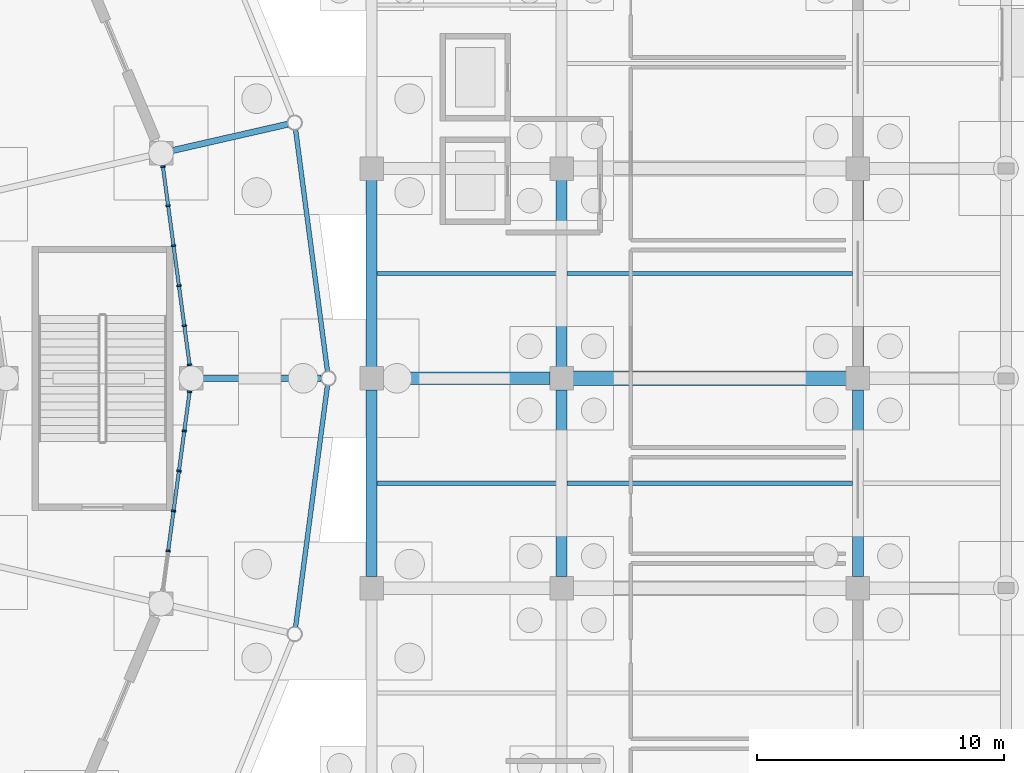
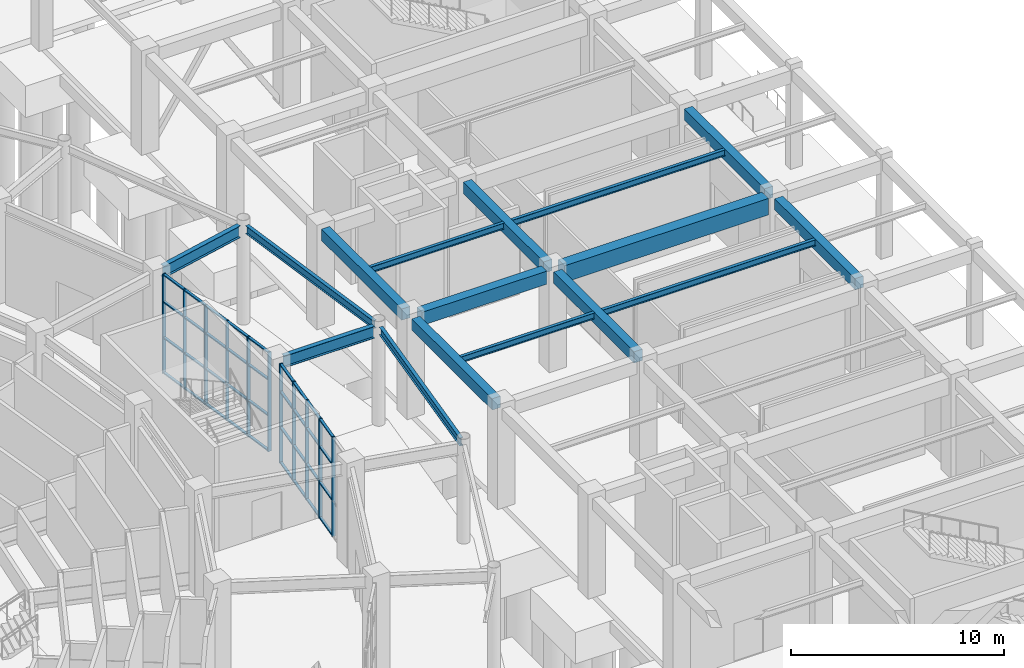
# One storey, part 58 of 121: 47 members, 16 beams, 2 elements without a shape of their own.
"""IFC4 building model written with IfcOpenShell, lengths in metres."""

from ifc_helpers import new_model, si_unit, direction, frame, origin, origin_2d, place, context, subcontext, project, spatial, rectangle, i_section, extrude, material, material_profile, profile_set, type_object, element, aggregate, save


model = new_model("IFC4")

# Units and contexts
model_context = context("Model", 3, precision=1e-05, world=origin(), true_north=direction((0.0, 1.0)))
body_context = subcontext(model_context, "Body", "Model", "MODEL_VIEW")
ifc_project = project(units=[si_unit("LENGTHUNIT", "METRE"), si_unit("AREAUNIT", "SQUARE_METRE"), si_unit("VOLUMEUNIT", "CUBIC_METRE"), si_unit("PLANEANGLEUNIT", "RADIAN"), si_unit("MASSUNIT", "GRAM", prefix="KILO")], contexts=[model_context])

# Site, building, storey
site_placement = place(None, origin())
site = spatial("IfcSite", under=ifc_project, at=site_placement, CompositionType="ELEMENT")
building_placement = place(site_placement, origin())
building = spatial("IfcBuilding", under=site, at=building_placement, Name="Cuetzalor Civic Arena", CompositionType="ELEMENT")
storey_placement = place(building_placement, origin())
storey = spatial("IfcBuildingStorey", under=building, at=storey_placement, Name="L00", CompositionType="ELEMENT", Elevation=0.0)

# Beams
ifc_material_1 = material(Name="Concrete C40/50", Category="concrete")
ifc_material_profile_1 = material_profile(ifc_material_1, rectangle(XDim=0.5, YDim=0.75, at=origin_2d()), Name="RC 500x750")
ifc_profile_set_1 = profile_set([ifc_material_profile_1], Name="Concrete C40/50")
beam_type_1 = type_object("IfcBeamType", Name="ConcreteFrameBeam_500x750", PredefinedType="BEAM", material=ifc_profile_set_1)
beam_1_placement = place(storey_placement, frame((56.764892578125, 0.0, 5.324951171875), z_axis=(1.0, 0.0, 0.0), x_axis=(0.0, 1.0, 0.0)))
element("IfcBeam", 1, at=beam_1_placement, inside=storey, type_object=beam_type_1, Name="Frame Girder V4E-L00-X0156", PredefinedType="BEAM", context=body_context, shape_type="SweptSolid", body=[
    extrude(rectangle(XDim=0.5, YDim=0.75, at=origin_2d()), origin(), (0.0, 0.0, 1.0), 6.77001953125),
])
ifc_material_2 = material(Name="Concrete C40/50", Category="concrete")
ifc_material_profile_2 = material_profile(ifc_material_2, rectangle(XDim=0.60009765625, YDim=0.949951171875, at=origin_2d()), Name="RC 600x950")
ifc_profile_set_2 = profile_set([ifc_material_profile_2], Name="Concrete C40/50")
beam_type_2 = type_object("IfcBeamType", Name="ConcreteFrameBeam_600x950", PredefinedType="BEAM", material=ifc_profile_set_2)
beam_2_placement = place(storey_placement, frame((64.465087890625, 0.0, 5.22509765625), z_axis=(1.0, 0.0, 0.0), x_axis=(0.0, 1.0, 0.0)))
element("IfcBeam", 2, at=beam_2_placement, inside=storey, type_object=beam_type_2, Name="Frame Girder V4E-L00-X0157", PredefinedType="BEAM", context=body_context, shape_type="SweptSolid", body=[
    extrude(rectangle(XDim=0.60009765625, YDim=0.949951171875, at=origin_2d()), origin(), (0.0, 0.0, 1.0), 11.06982421875),
])
ifc_material_3 = material(Name="Concrete C40/50", Category="concrete")
ifc_material_profile_3 = material_profile(ifc_material_3, rectangle(XDim=0.449951171875, YDim=0.64990234375, at=origin_2d()), Name="RC 450x650")
ifc_profile_set_3 = profile_set([ifc_material_profile_3], Name="Concrete C40/50")
beam_type_3 = type_object("IfcBeamType", Name="ConcreteTieBeam_450x650", PredefinedType="BEAM", material=ifc_profile_set_3)
for number, where, z_axis, x_axis, name in (
    (3, (56.300048828125, -8.034912109375, 5.375), (0.0, 1.0, 0.0), (-1.0, 0.0, 0.0), "Frame Girder V4E-L00-Y0178"),
    (4, (56.300048828125, 0.465087890625, 5.375), (0.0, 1.0, 0.0), (-1.0, 0.0, 0.0), "Frame Girder V4E-L00-Y0179"),
    (5, (64.0, -8.034912109375, 5.375), (0.0, 1.0, 0.0), (-1.0, 0.0, 0.0), "Frame Girder V4E-L00-Y0188"),
    (6, (64.0, 0.465087890625, 5.375), (0.0, 1.0, 0.0), (-1.0, 0.0, 0.0), "Frame Girder V4E-L00-Y0189"),
    (7, (76.0, -8.034912109375, 5.375), (0.0, 1.0, 0.0), (-1.0, 0.0, 0.0), "Frame Girder V4E-L00-Y0198"),
    (8, (76.0, 0.465087890625, 5.375), (0.0, 1.0, 0.0), (-1.0, 0.0, 0.0), "Frame Girder V4E-L00-Y0199"),
):
    element("IfcBeam", number, at=place(storey_placement, frame(where, z_axis=z_axis, x_axis=x_axis)), inside=storey, type_object=beam_type_3, Name=name, PredefinedType="BEAM", context=body_context, shape_type="SweptSolid", body=[
        extrude(rectangle(XDim=0.449951171875, YDim=0.64990234375, at=origin_2d()), origin(), (0.0, 0.0, 1.0), 7.56982421875),
    ])

# Curtain wall, members
ifc_material_4 = material(Name="Anodised dark bronze aluminium and low-E solar glass", Category="aluminium")
curtain_wall_type = type_object("IfcCurtainWallType", Name="UnitisedCW_8150x5700", PredefinedType="USERDEFINED", material=ifc_material_4)
curtain_wall_1_placement = place(storey_placement, origin())
curtain_wall_1 = element("IfcCurtainWall", 9, at=curtain_wall_1_placement, inside=storey, type_object=curtain_wall_type, Name="Drum Ground Recessed Concourse Curtain Wall L00-001", ObjectType="UNITISED CURTAIN WALL", PredefinedType="USERDEFINED")
ifc_material_5 = material(Name="Anodised dark bronze aluminium", Category="aluminium")
ifc_material_profile_4 = material_profile(ifc_material_5, rectangle(XDim=0.070068359375, YDim=0.179931640625, at=origin_2d()), Name="ALU MULLION 70x180")
ifc_profile_set_4 = profile_set([ifc_material_profile_4], Name="Anodised dark bronze aluminium")
member_type_1 = type_object("IfcMemberType", Name="CurtainWallMullion_65x180", PredefinedType="MULLION", material=ifc_profile_set_4)
member_1_placement = place(storey_placement, frame((47.844970703125, 8.5771484375, 0.0), z_axis=(0.0, 0.0, 1.0), x_axis=(0.133443440892, -0.991056430322, 0.0)))
member_1 = element("IfcMember", 10, at=member_1_placement, type_object=member_type_1, Name="CW-01 mullion 1", PredefinedType="MULLION", context=body_context, shape_type="SweptSolid", body=[
    extrude(rectangle(XDim=0.070068359375, YDim=0.179931640625, at=origin_2d()), origin(), (0.0, 0.0, 1.0), 5.699951171875),
])
member_2_placement = place(storey_placement, frame((48.05859375, 6.99169921875, 0.0), z_axis=(0.0, 0.0, 1.0), x_axis=(0.133443440892, -0.991056430322, 0.0)))
member_2 = element("IfcMember", 11, at=member_2_placement, type_object=member_type_1, Name="CW-01 mullion 2", PredefinedType="MULLION", context=body_context, shape_type="SweptSolid", body=[
    extrude(rectangle(XDim=0.070068359375, YDim=0.179931640625, at=origin_2d()), origin(), (0.0, 0.0, 1.0), 5.699951171875),
])
member_3_placement = place(storey_placement, frame((48.276611328125, 5.371826171875, 0.0), z_axis=(0.0, 0.0, 1.0), x_axis=(0.133443440892, -0.991056430322, 0.0)))
member_3 = element("IfcMember", 12, at=member_3_placement, type_object=member_type_1, Name="CW-01 mullion 3", PredefinedType="MULLION", context=body_context, shape_type="SweptSolid", body=[
    extrude(rectangle(XDim=0.070068359375, YDim=0.179931640625, at=origin_2d()), origin(), (0.0, 0.0, 1.0), 5.699951171875),
])
member_4_placement = place(storey_placement, frame((48.494873046875, 3.751708984375, 0.0), z_axis=(0.0, 0.0, 1.0), x_axis=(0.133443440892, -0.991056430322, 0.0)))
member_4 = element("IfcMember", 13, at=member_4_placement, type_object=member_type_1, Name="CW-01 mullion 4", PredefinedType="MULLION", context=body_context, shape_type="SweptSolid", body=[
    extrude(rectangle(XDim=0.070068359375, YDim=0.179931640625, at=origin_2d()), origin(), (0.0, 0.0, 1.0), 5.699951171875),
])
member_5_placement = place(storey_placement, frame((48.712890625, 2.131591796875, 0.0), z_axis=(0.0, 0.0, 1.0), x_axis=(0.133443440892, -0.991056430322, 0.0)))
member_5 = element("IfcMember", 14, at=member_5_placement, type_object=member_type_1, Name="CW-01 mullion 5", PredefinedType="MULLION", context=body_context, shape_type="SweptSolid", body=[
    extrude(rectangle(XDim=0.070068359375, YDim=0.179931640625, at=origin_2d()), origin(), (0.0, 0.0, 1.0), 5.699951171875),
])
member_6_placement = place(storey_placement, frame((48.926513671875, 0.546142578125, 0.0), z_axis=(0.0, 0.0, 1.0), x_axis=(0.133443440892, -0.991056430322, 0.0)))
member_6 = element("IfcMember", 15, at=member_6_placement, type_object=member_type_1, Name="CW-01 mullion 6", PredefinedType="MULLION", context=body_context, shape_type="SweptSolid", body=[
    extrude(rectangle(XDim=0.070068359375, YDim=0.179931640625, at=origin_2d()), origin(), (0.0, 0.0, 1.0), 5.699951171875),
])

curtain_wall_2_placement = place(storey_placement, origin())
curtain_wall_2 = element("IfcCurtainWall", 16, at=curtain_wall_2_placement, inside=storey, type_object=curtain_wall_type, Name="Drum Ground Recessed Concourse Curtain Wall L00-020", ObjectType="UNITISED CURTAIN WALL", PredefinedType="USERDEFINED")
member_7_placement = place(storey_placement, frame((48.926513671875, -0.546142578125, 0.0), z_axis=(0.0, 0.0, 1.0), x_axis=(-0.133443440892, -0.991056430322, 0.0)))
member_7 = element("IfcMember", 17, at=member_7_placement, type_object=member_type_1, Name="CW-01 mullion 1", PredefinedType="MULLION", context=body_context, shape_type="SweptSolid", body=[
    extrude(rectangle(XDim=0.070068359375, YDim=0.179931640625, at=origin_2d()), origin(), (0.0, 0.0, 1.0), 5.699951171875),
])
member_8_placement = place(storey_placement, frame((48.712890625, -2.131591796875, 0.0), z_axis=(0.0, 0.0, 1.0), x_axis=(-0.133443440892, -0.991056430322, 0.0)))
member_8 = element("IfcMember", 18, at=member_8_placement, type_object=member_type_1, Name="CW-01 mullion 2", PredefinedType="MULLION", context=body_context, shape_type="SweptSolid", body=[
    extrude(rectangle(XDim=0.070068359375, YDim=0.179931640625, at=origin_2d()), origin(), (0.0, 0.0, 1.0), 5.699951171875),
])
member_9_placement = place(storey_placement, frame((48.494873046875, -3.751708984375, 0.0), z_axis=(0.0, 0.0, 1.0), x_axis=(-0.133443440892, -0.991056430322, 0.0)))
member_9 = element("IfcMember", 19, at=member_9_placement, type_object=member_type_1, Name="CW-01 mullion 3", PredefinedType="MULLION", context=body_context, shape_type="SweptSolid", body=[
    extrude(rectangle(XDim=0.070068359375, YDim=0.179931640625, at=origin_2d()), origin(), (0.0, 0.0, 1.0), 5.699951171875),
])
member_10_placement = place(storey_placement, frame((48.276611328125, -5.371826171875, 0.0), z_axis=(0.0, 0.0, 1.0), x_axis=(-0.133443440892, -0.991056430322, 0.0)))
member_10 = element("IfcMember", 20, at=member_10_placement, type_object=member_type_1, Name="CW-01 mullion 4", PredefinedType="MULLION", context=body_context, shape_type="SweptSolid", body=[
    extrude(rectangle(XDim=0.070068359375, YDim=0.179931640625, at=origin_2d()), origin(), (0.0, 0.0, 1.0), 5.699951171875),
])
member_11_placement = place(storey_placement, frame((48.05859375, -6.99169921875, 0.0), z_axis=(0.0, 0.0, 1.0), x_axis=(-0.133443440892, -0.991056430322, 0.0)))
member_11 = element("IfcMember", 21, at=member_11_placement, type_object=member_type_1, Name="CW-01 mullion 5", PredefinedType="MULLION", context=body_context, shape_type="SweptSolid", body=[
    extrude(rectangle(XDim=0.070068359375, YDim=0.179931640625, at=origin_2d()), origin(), (0.0, 0.0, 1.0), 5.699951171875),
])

# Member
ifc_material_6 = material(Name="Anodised dark bronze aluminium", Category="aluminium")
ifc_material_profile_5 = material_profile(ifc_material_6, rectangle(XDim=0.139892578125, YDim=0.070068359375, at=origin_2d()), Name="ALU TRANSOM 70x140")
ifc_profile_set_5 = profile_set([ifc_material_profile_5], Name="Anodised dark bronze aluminium")
member_type_2 = type_object("IfcMemberType", Name="CurtainWallTransom_65x140", PredefinedType="USERDEFINED", material=ifc_profile_set_5)
member_12_placement = place(storey_placement, frame((47.849853515625, 8.54248046875, 0.034912109375), z_axis=(0.133439146266, -0.991057008574, 0.0), x_axis=(0.991057008574, 0.133439146266, 0.0)))
member_12 = element("IfcMember", 22, at=member_12_placement, type_object=member_type_2, Name="CW-01 transom 1.1", ObjectType="TRANSOM", PredefinedType="USERDEFINED", context=body_context, shape_type="SweptSolid", body=[
    extrude(rectangle(XDim=0.139892578125, YDim=0.070068359375, at=origin_2d()), origin(), (0.0, 0.0, 1.0), 1.529541015625),
])

member_13_placement = place(storey_placement, frame((47.849853515625, 8.54248046875, 2.052001953125), z_axis=(0.133439146266, -0.991057008574, 0.0), x_axis=(0.991057008574, 0.133439146266, 0.0)))
member_13 = element("IfcMember", 23, at=member_13_placement, type_object=member_type_2, Name="CW-01 transom 1.2", ObjectType="TRANSOM", PredefinedType="USERDEFINED", context=body_context, shape_type="SweptSolid", body=[
    extrude(rectangle(XDim=0.139892578125, YDim=0.070068359375, at=origin_2d()), origin(), (0.0, 0.0, 1.0), 1.529541015625),
])

member_14_placement = place(storey_placement, frame((47.849853515625, 8.54248046875, 4.10400390625), z_axis=(0.133439146266, -0.991057008574, 0.0), x_axis=(0.991057008574, 0.133439146266, 0.0)))
member_14 = element("IfcMember", 24, at=member_14_placement, type_object=member_type_2, Name="CW-01 transom 1.3", ObjectType="TRANSOM", PredefinedType="USERDEFINED", context=body_context, shape_type="SweptSolid", body=[
    extrude(rectangle(XDim=0.139892578125, YDim=0.070068359375, at=origin_2d()), origin(), (0.0, 0.0, 1.0), 1.529541015625),
])

member_15_placement = place(storey_placement, frame((47.849853515625, 8.54248046875, 5.6650390625), z_axis=(0.133439146266, -0.991057008574, 0.0), x_axis=(0.991057008574, 0.133439146266, 0.0)))
member_15 = element("IfcMember", 25, at=member_15_placement, type_object=member_type_2, Name="CW-01 transom 1.4", ObjectType="TRANSOM", PredefinedType="USERDEFINED", context=body_context, shape_type="SweptSolid", body=[
    extrude(rectangle(XDim=0.139892578125, YDim=0.070068359375, at=origin_2d()), origin(), (0.0, 0.0, 1.0), 1.529541015625),
])

member_16_placement = place(storey_placement, frame((48.063232421875, 6.95703125, 0.034912109375), z_axis=(0.133420854655, -0.991059471244, 0.0), x_axis=(0.991059471244, 0.133420854655, 0.0)))
member_16 = element("IfcMember", 26, at=member_16_placement, type_object=member_type_2, Name="CW-01 transom 2.1", ObjectType="TRANSOM", PredefinedType="USERDEFINED", context=body_context, shape_type="SweptSolid", body=[
    extrude(rectangle(XDim=0.139892578125, YDim=0.070068359375, at=origin_2d()), origin(), (0.0, 0.0, 1.0), 1.564453125),
])

member_17_placement = place(storey_placement, frame((48.063232421875, 6.95703125, 2.052001953125), z_axis=(0.133420854655, -0.991059471244, 0.0), x_axis=(0.991059471244, 0.133420854655, 0.0)))
member_17 = element("IfcMember", 27, at=member_17_placement, type_object=member_type_2, Name="CW-01 transom 2.2", ObjectType="TRANSOM", PredefinedType="USERDEFINED", context=body_context, shape_type="SweptSolid", body=[
    extrude(rectangle(XDim=0.139892578125, YDim=0.070068359375, at=origin_2d()), origin(), (0.0, 0.0, 1.0), 1.564453125),
])

member_18_placement = place(storey_placement, frame((48.063232421875, 6.95703125, 4.10400390625), z_axis=(0.133420854655, -0.991059471244, 0.0), x_axis=(0.991059471244, 0.133420854655, 0.0)))
member_18 = element("IfcMember", 28, at=member_18_placement, type_object=member_type_2, Name="CW-01 transom 2.3", ObjectType="TRANSOM", PredefinedType="USERDEFINED", context=body_context, shape_type="SweptSolid", body=[
    extrude(rectangle(XDim=0.139892578125, YDim=0.070068359375, at=origin_2d()), origin(), (0.0, 0.0, 1.0), 1.564453125),
])

member_19_placement = place(storey_placement, frame((48.063232421875, 6.95703125, 5.6650390625), z_axis=(0.133420854655, -0.991059471244, 0.0), x_axis=(0.991059471244, 0.133420854655, 0.0)))
member_19 = element("IfcMember", 29, at=member_19_placement, type_object=member_type_2, Name="CW-01 transom 2.4", ObjectType="TRANSOM", PredefinedType="USERDEFINED", context=body_context, shape_type="SweptSolid", body=[
    extrude(rectangle(XDim=0.139892578125, YDim=0.070068359375, at=origin_2d()), origin(), (0.0, 0.0, 1.0), 1.564453125),
])

member_20_placement = place(storey_placement, frame((48.28125, 5.337158203125, 0.034912109375), z_axis=(0.13355346626, -0.991041609444, 0.0), x_axis=(0.991041609444, 0.13355346626, 0.0)))
member_20 = element("IfcMember", 30, at=member_20_placement, type_object=member_type_2, Name="CW-01 transom 3.1", ObjectType="TRANSOM", PredefinedType="USERDEFINED", context=body_context, shape_type="SweptSolid", body=[
    extrude(rectangle(XDim=0.139892578125, YDim=0.070068359375, at=origin_2d()), origin(), (0.0, 0.0, 1.0), 1.564697265625),
])

member_21_placement = place(storey_placement, frame((48.28125, 5.337158203125, 2.052001953125), z_axis=(0.13355346626, -0.991041609444, 0.0), x_axis=(0.991041609444, 0.13355346626, 0.0)))
member_21 = element("IfcMember", 31, at=member_21_placement, type_object=member_type_2, Name="CW-01 transom 3.2", ObjectType="TRANSOM", PredefinedType="USERDEFINED", context=body_context, shape_type="SweptSolid", body=[
    extrude(rectangle(XDim=0.139892578125, YDim=0.070068359375, at=origin_2d()), origin(), (0.0, 0.0, 1.0), 1.564697265625),
])

member_22_placement = place(storey_placement, frame((48.28125, 5.337158203125, 4.10400390625), z_axis=(0.13355346626, -0.991041609444, 0.0), x_axis=(0.991041609444, 0.13355346626, 0.0)))
member_22 = element("IfcMember", 32, at=member_22_placement, type_object=member_type_2, Name="CW-01 transom 3.3", ObjectType="TRANSOM", PredefinedType="USERDEFINED", context=body_context, shape_type="SweptSolid", body=[
    extrude(rectangle(XDim=0.139892578125, YDim=0.070068359375, at=origin_2d()), origin(), (0.0, 0.0, 1.0), 1.564697265625),
])

member_23_placement = place(storey_placement, frame((48.28125, 5.337158203125, 5.6650390625), z_axis=(0.13355346626, -0.991041609444, 0.0), x_axis=(0.991041609444, 0.13355346626, 0.0)))
member_23 = element("IfcMember", 33, at=member_23_placement, type_object=member_type_2, Name="CW-01 transom 3.4", ObjectType="TRANSOM", PredefinedType="USERDEFINED", context=body_context, shape_type="SweptSolid", body=[
    extrude(rectangle(XDim=0.139892578125, YDim=0.070068359375, at=origin_2d()), origin(), (0.0, 0.0, 1.0), 1.564697265625),
])

member_24_placement = place(storey_placement, frame((48.49951171875, 3.717041015625, 0.034912109375), z_axis=(0.13340022393, -0.991062248426, 0.0), x_axis=(0.991062248426, 0.13340022393, 0.0)))
member_24 = element("IfcMember", 34, at=member_24_placement, type_object=member_type_2, Name="CW-01 transom 4.1", ObjectType="TRANSOM", PredefinedType="USERDEFINED", context=body_context, shape_type="SweptSolid", body=[
    extrude(rectangle(XDim=0.139892578125, YDim=0.070068359375, at=origin_2d()), origin(), (0.0, 0.0, 1.0), 1.564697265625),
])

member_25_placement = place(storey_placement, frame((48.49951171875, 3.717041015625, 2.052001953125), z_axis=(0.13340022393, -0.991062248426, 0.0), x_axis=(0.991062248426, 0.13340022393, 0.0)))
member_25 = element("IfcMember", 35, at=member_25_placement, type_object=member_type_2, Name="CW-01 transom 4.2", ObjectType="TRANSOM", PredefinedType="USERDEFINED", context=body_context, shape_type="SweptSolid", body=[
    extrude(rectangle(XDim=0.139892578125, YDim=0.070068359375, at=origin_2d()), origin(), (0.0, 0.0, 1.0), 1.564697265625),
])

member_26_placement = place(storey_placement, frame((48.49951171875, 3.717041015625, 4.10400390625), z_axis=(0.13340022393, -0.991062248426, 0.0), x_axis=(0.991062248426, 0.13340022393, 0.0)))
member_26 = element("IfcMember", 36, at=member_26_placement, type_object=member_type_2, Name="CW-01 transom 4.3", ObjectType="TRANSOM", PredefinedType="USERDEFINED", context=body_context, shape_type="SweptSolid", body=[
    extrude(rectangle(XDim=0.139892578125, YDim=0.070068359375, at=origin_2d()), origin(), (0.0, 0.0, 1.0), 1.564697265625),
])

member_27_placement = place(storey_placement, frame((48.49951171875, 3.717041015625, 5.6650390625), z_axis=(0.13340022393, -0.991062248426, 0.0), x_axis=(0.991062248426, 0.13340022393, 0.0)))
member_27 = element("IfcMember", 37, at=member_27_placement, type_object=member_type_2, Name="CW-01 transom 4.4", ObjectType="TRANSOM", PredefinedType="USERDEFINED", context=body_context, shape_type="SweptSolid", body=[
    extrude(rectangle(XDim=0.139892578125, YDim=0.070068359375, at=origin_2d()), origin(), (0.0, 0.0, 1.0), 1.564697265625),
])

member_28_placement = place(storey_placement, frame((48.717529296875, 2.096923828125, 0.034912109375), z_axis=(0.133574786173, -0.991038736124, 0.0), x_axis=(0.991038736124, 0.133574786173, 0.0)))
member_28 = element("IfcMember", 38, at=member_28_placement, type_object=member_type_2, Name="CW-01 transom 5.1", ObjectType="TRANSOM", PredefinedType="USERDEFINED", context=body_context, shape_type="SweptSolid", body=[
    extrude(rectangle(XDim=0.139892578125, YDim=0.070068359375, at=origin_2d()), origin(), (0.0, 0.0, 1.0), 1.52978515625),
])

member_29_placement = place(storey_placement, frame((48.717529296875, 2.096923828125, 2.052001953125), z_axis=(0.133574786173, -0.991038736124, 0.0), x_axis=(0.991038736124, 0.133574786173, 0.0)))
member_29 = element("IfcMember", 39, at=member_29_placement, type_object=member_type_2, Name="CW-01 transom 5.2", ObjectType="TRANSOM", PredefinedType="USERDEFINED", context=body_context, shape_type="SweptSolid", body=[
    extrude(rectangle(XDim=0.139892578125, YDim=0.070068359375, at=origin_2d()), origin(), (0.0, 0.0, 1.0), 1.52978515625),
])

member_30_placement = place(storey_placement, frame((48.717529296875, 2.096923828125, 4.10400390625), z_axis=(0.133574786173, -0.991038736124, 0.0), x_axis=(0.991038736124, 0.133574786173, 0.0)))
member_30 = element("IfcMember", 40, at=member_30_placement, type_object=member_type_2, Name="CW-01 transom 5.3", ObjectType="TRANSOM", PredefinedType="USERDEFINED", context=body_context, shape_type="SweptSolid", body=[
    extrude(rectangle(XDim=0.139892578125, YDim=0.070068359375, at=origin_2d()), origin(), (0.0, 0.0, 1.0), 1.52978515625),
])

member_31_placement = place(storey_placement, frame((48.717529296875, 2.096923828125, 5.6650390625), z_axis=(0.133574786173, -0.991038736124, 0.0), x_axis=(0.991038736124, 0.133574786173, 0.0)))
member_31 = element("IfcMember", 41, at=member_31_placement, type_object=member_type_2, Name="CW-01 transom 5.4", ObjectType="TRANSOM", PredefinedType="USERDEFINED", context=body_context, shape_type="SweptSolid", body=[
    extrude(rectangle(XDim=0.139892578125, YDim=0.070068359375, at=origin_2d()), origin(), (0.0, 0.0, 1.0), 1.52978515625),
])

aggregate(curtain_wall_1, [member_1, member_2, member_3, member_4, member_5, member_6, member_12, member_13, member_14, member_15, member_16, member_17, member_18, member_19, member_20, member_21, member_22, member_23, member_24, member_25, member_26, member_27, member_28, member_29, member_30, member_31])

member_32_placement = place(storey_placement, frame((48.921875, -0.580810546875, 0.034912109375), z_axis=(-0.133574786173, -0.991038736124, 0.0), x_axis=(0.991038736124, -0.133574786173, 0.0)))
member_32 = element("IfcMember", 42, at=member_32_placement, type_object=member_type_2, Name="CW-01 transom 1.1", ObjectType="TRANSOM", PredefinedType="USERDEFINED", context=body_context, shape_type="SweptSolid", body=[
    extrude(rectangle(XDim=0.139892578125, YDim=0.070068359375, at=origin_2d()), origin(), (0.0, 0.0, 1.0), 1.52978515625),
])

member_33_placement = place(storey_placement, frame((48.921875, -0.580810546875, 2.052001953125), z_axis=(-0.133574786173, -0.991038736124, 0.0), x_axis=(0.991038736124, -0.133574786173, 0.0)))
member_33 = element("IfcMember", 43, at=member_33_placement, type_object=member_type_2, Name="CW-01 transom 1.2", ObjectType="TRANSOM", PredefinedType="USERDEFINED", context=body_context, shape_type="SweptSolid", body=[
    extrude(rectangle(XDim=0.139892578125, YDim=0.070068359375, at=origin_2d()), origin(), (0.0, 0.0, 1.0), 1.52978515625),
])

member_34_placement = place(storey_placement, frame((48.921875, -0.580810546875, 4.10400390625), z_axis=(-0.133574786173, -0.991038736124, 0.0), x_axis=(0.991038736124, -0.133574786173, 0.0)))
member_34 = element("IfcMember", 44, at=member_34_placement, type_object=member_type_2, Name="CW-01 transom 1.3", ObjectType="TRANSOM", PredefinedType="USERDEFINED", context=body_context, shape_type="SweptSolid", body=[
    extrude(rectangle(XDim=0.139892578125, YDim=0.070068359375, at=origin_2d()), origin(), (0.0, 0.0, 1.0), 1.52978515625),
])

member_35_placement = place(storey_placement, frame((48.921875, -0.580810546875, 5.6650390625), z_axis=(-0.133574786173, -0.991038736124, 0.0), x_axis=(0.991038736124, -0.133574786173, 0.0)))
member_35 = element("IfcMember", 45, at=member_35_placement, type_object=member_type_2, Name="CW-01 transom 1.4", ObjectType="TRANSOM", PredefinedType="USERDEFINED", context=body_context, shape_type="SweptSolid", body=[
    extrude(rectangle(XDim=0.139892578125, YDim=0.070068359375, at=origin_2d()), origin(), (0.0, 0.0, 1.0), 1.52978515625),
])

member_36_placement = place(storey_placement, frame((48.708251953125, -2.166259765625, 0.034912109375), z_axis=(-0.13340022393, -0.991062248426, 0.0), x_axis=(0.991062248426, -0.13340022393, 0.0)))
member_36 = element("IfcMember", 46, at=member_36_placement, type_object=member_type_2, Name="CW-01 transom 2.1", ObjectType="TRANSOM", PredefinedType="USERDEFINED", context=body_context, shape_type="SweptSolid", body=[
    extrude(rectangle(XDim=0.139892578125, YDim=0.070068359375, at=origin_2d()), origin(), (0.0, 0.0, 1.0), 1.564697265625),
])

member_37_placement = place(storey_placement, frame((48.708251953125, -2.166259765625, 2.052001953125), z_axis=(-0.13340022393, -0.991062248426, 0.0), x_axis=(0.991062248426, -0.13340022393, 0.0)))
member_37 = element("IfcMember", 47, at=member_37_placement, type_object=member_type_2, Name="CW-01 transom 2.2", ObjectType="TRANSOM", PredefinedType="USERDEFINED", context=body_context, shape_type="SweptSolid", body=[
    extrude(rectangle(XDim=0.139892578125, YDim=0.070068359375, at=origin_2d()), origin(), (0.0, 0.0, 1.0), 1.564697265625),
])

member_38_placement = place(storey_placement, frame((48.708251953125, -2.166259765625, 4.10400390625), z_axis=(-0.13340022393, -0.991062248426, 0.0), x_axis=(0.991062248426, -0.13340022393, 0.0)))
member_38 = element("IfcMember", 48, at=member_38_placement, type_object=member_type_2, Name="CW-01 transom 2.3", ObjectType="TRANSOM", PredefinedType="USERDEFINED", context=body_context, shape_type="SweptSolid", body=[
    extrude(rectangle(XDim=0.139892578125, YDim=0.070068359375, at=origin_2d()), origin(), (0.0, 0.0, 1.0), 1.564697265625),
])

member_39_placement = place(storey_placement, frame((48.708251953125, -2.166259765625, 5.6650390625), z_axis=(-0.13340022393, -0.991062248426, 0.0), x_axis=(0.991062248426, -0.13340022393, 0.0)))
member_39 = element("IfcMember", 49, at=member_39_placement, type_object=member_type_2, Name="CW-01 transom 2.4", ObjectType="TRANSOM", PredefinedType="USERDEFINED", context=body_context, shape_type="SweptSolid", body=[
    extrude(rectangle(XDim=0.139892578125, YDim=0.070068359375, at=origin_2d()), origin(), (0.0, 0.0, 1.0), 1.564697265625),
])

member_40_placement = place(storey_placement, frame((48.490234375, -3.786376953125, 0.034912109375), z_axis=(-0.13355346626, -0.991041609444, 0.0), x_axis=(0.991041609444, -0.13355346626, 0.0)))
member_40 = element("IfcMember", 50, at=member_40_placement, type_object=member_type_2, Name="CW-01 transom 3.1", ObjectType="TRANSOM", PredefinedType="USERDEFINED", context=body_context, shape_type="SweptSolid", body=[
    extrude(rectangle(XDim=0.139892578125, YDim=0.070068359375, at=origin_2d()), origin(), (0.0, 0.0, 1.0), 1.564697265625),
])

member_41_placement = place(storey_placement, frame((48.490234375, -3.786376953125, 2.052001953125), z_axis=(-0.13355346626, -0.991041609444, 0.0), x_axis=(0.991041609444, -0.13355346626, 0.0)))
member_41 = element("IfcMember", 51, at=member_41_placement, type_object=member_type_2, Name="CW-01 transom 3.2", ObjectType="TRANSOM", PredefinedType="USERDEFINED", context=body_context, shape_type="SweptSolid", body=[
    extrude(rectangle(XDim=0.139892578125, YDim=0.070068359375, at=origin_2d()), origin(), (0.0, 0.0, 1.0), 1.564697265625),
])

member_42_placement = place(storey_placement, frame((48.490234375, -3.786376953125, 4.10400390625), z_axis=(-0.13355346626, -0.991041609444, 0.0), x_axis=(0.991041609444, -0.13355346626, 0.0)))
member_42 = element("IfcMember", 52, at=member_42_placement, type_object=member_type_2, Name="CW-01 transom 3.3", ObjectType="TRANSOM", PredefinedType="USERDEFINED", context=body_context, shape_type="SweptSolid", body=[
    extrude(rectangle(XDim=0.139892578125, YDim=0.070068359375, at=origin_2d()), origin(), (0.0, 0.0, 1.0), 1.564697265625),
])

member_43_placement = place(storey_placement, frame((48.490234375, -3.786376953125, 5.6650390625), z_axis=(-0.13355346626, -0.991041609444, 0.0), x_axis=(0.991041609444, -0.13355346626, 0.0)))
member_43 = element("IfcMember", 53, at=member_43_placement, type_object=member_type_2, Name="CW-01 transom 3.4", ObjectType="TRANSOM", PredefinedType="USERDEFINED", context=body_context, shape_type="SweptSolid", body=[
    extrude(rectangle(XDim=0.139892578125, YDim=0.070068359375, at=origin_2d()), origin(), (0.0, 0.0, 1.0), 1.564697265625),
])

member_44_placement = place(storey_placement, frame((48.27197265625, -5.406494140625, 0.034912109375), z_axis=(-0.133420854655, -0.991059471244, 0.0), x_axis=(0.991059471244, -0.133420854655, 0.0)))
member_44 = element("IfcMember", 54, at=member_44_placement, type_object=member_type_2, Name="CW-01 transom 4.1", ObjectType="TRANSOM", PredefinedType="USERDEFINED", context=body_context, shape_type="SweptSolid", body=[
    extrude(rectangle(XDim=0.139892578125, YDim=0.070068359375, at=origin_2d()), origin(), (0.0, 0.0, 1.0), 1.564453125),
])

member_45_placement = place(storey_placement, frame((48.27197265625, -5.406494140625, 2.052001953125), z_axis=(-0.133420854655, -0.991059471244, 0.0), x_axis=(0.991059471244, -0.133420854655, 0.0)))
member_45 = element("IfcMember", 55, at=member_45_placement, type_object=member_type_2, Name="CW-01 transom 4.2", ObjectType="TRANSOM", PredefinedType="USERDEFINED", context=body_context, shape_type="SweptSolid", body=[
    extrude(rectangle(XDim=0.139892578125, YDim=0.070068359375, at=origin_2d()), origin(), (0.0, 0.0, 1.0), 1.564453125),
])

member_46_placement = place(storey_placement, frame((48.27197265625, -5.406494140625, 4.10400390625), z_axis=(-0.133420854655, -0.991059471244, 0.0), x_axis=(0.991059471244, -0.133420854655, 0.0)))
member_46 = element("IfcMember", 56, at=member_46_placement, type_object=member_type_2, Name="CW-01 transom 4.3", ObjectType="TRANSOM", PredefinedType="USERDEFINED", context=body_context, shape_type="SweptSolid", body=[
    extrude(rectangle(XDim=0.139892578125, YDim=0.070068359375, at=origin_2d()), origin(), (0.0, 0.0, 1.0), 1.564453125),
])

member_47_placement = place(storey_placement, frame((48.27197265625, -5.406494140625, 5.6650390625), z_axis=(-0.133420854655, -0.991059471244, 0.0), x_axis=(0.991059471244, -0.133420854655, 0.0)))
member_47 = element("IfcMember", 57, at=member_47_placement, type_object=member_type_2, Name="CW-01 transom 4.4", ObjectType="TRANSOM", PredefinedType="USERDEFINED", context=body_context, shape_type="SweptSolid", body=[
    extrude(rectangle(XDim=0.139892578125, YDim=0.070068359375, at=origin_2d()), origin(), (0.0, 0.0, 1.0), 1.564453125),
])

aggregate(curtain_wall_2, [member_7, member_8, member_9, member_10, member_11, member_32, member_33, member_34, member_35, member_36, member_37, member_38, member_39, member_40, member_41, member_42, member_43, member_44, member_45, member_46, member_47])

# Beams
ifc_material_7 = material(Name="Steel S355", Category="steel")
ifc_material_profile_6 = material_profile(ifc_material_7, i_section(OverallWidth=0.18994140625, OverallDepth=0.45703125, WebThickness=0.009033203125, FlangeThickness=0.014404296875, at=origin_2d()), Name="W460x74")
ifc_profile_set_6 = profile_set([ifc_material_profile_6], Name="Steel S355")
beam_type_4 = type_object("IfcBeamType", Name="FacadeSpandrelBeam_W460", PredefinedType="SPANDREL", material=ifc_profile_set_6)
for number, where, z_axis, x_axis, name in (
    (58, (54.511962890625, 0.28759765625, 5.471435546875), (-0.130901206694, 0.991395417624, 0.0), (-0.991395417624, -0.130901206694, 0.0), "Drum Perimeter Spandrel L00-S01"),
    (59, (53.22021484375, -10.07080078125, 5.471435546875), (0.130901206694, 0.991395417624, 0.0), (-0.991395417624, 0.130901206694, 0.0), "Drum Perimeter Spandrel L00-S28"),
):
    element("IfcBeam", number, at=place(storey_placement, frame(where, z_axis=z_axis, x_axis=x_axis)), inside=storey, type_object=beam_type_4, Name=name, PredefinedType="SPANDREL", context=body_context, shape_type="SweptSolid", body=[
        extrude(i_section(OverallWidth=0.18994140625, OverallDepth=0.45703125, WebThickness=0.009033203125, FlangeThickness=0.014404296875, at=origin_2d()), origin(), (0.0, 0.0, 1.0), 9.8681640625),
    ])
ifc_material_8 = material(Name="Steel S355", Category="steel")
ifc_material_profile_7 = material_profile(ifc_material_8, i_section(OverallWidth=0.1708984375, OverallDepth=0.35498046875, WebThickness=0.007080078125, FlangeThickness=0.01171875, at=origin_2d()), Name="W360x51")
ifc_profile_set_7 = profile_set([ifc_material_profile_7], Name="Steel S355")
beam_type_5 = type_object("IfcBeamType", Name="SecondaryFloorJoist_W360", PredefinedType="JOIST", material=ifc_profile_set_7)
for number, where, z_axis, x_axis, name in (
    (60, (56.51708984375, -4.25, 5.5224609375), (1.0, 0.0, 0.0), (0.0, 1.0, 0.0), "Secondary Floor Joist V4E-L00-0049"),
    (61, (56.51708984375, 4.25, 5.5224609375), (1.0, 0.0, 0.0), (0.0, 1.0, 0.0), "Secondary Floor Joist V4E-L00-0050"),
):
    element("IfcBeam", number, at=place(storey_placement, frame(where, z_axis=z_axis, x_axis=x_axis)), inside=storey, type_object=beam_type_5, Name=name, PredefinedType="JOIST", context=body_context, shape_type="SweptSolid", body=[
        extrude(i_section(OverallWidth=0.1708984375, OverallDepth=0.35498046875, WebThickness=0.007080078125, FlangeThickness=0.01171875, at=origin_2d()), origin(), (0.0, 0.0, 1.0), 7.265869140625),
    ])
for number, where, z_axis, x_axis, name in (
    (62, (64.217041015625, -4.25, 5.5224609375), (1.0, 0.0, 0.0), (0.0, 1.0, 0.0), "Secondary Floor Joist V4E-L00-0057"),
    (63, (64.217041015625, 4.25, 5.5224609375), (1.0, 0.0, 0.0), (0.0, 1.0, 0.0), "Secondary Floor Joist V4E-L00-0058"),
):
    element("IfcBeam", number, at=place(storey_placement, frame(where, z_axis=z_axis, x_axis=x_axis)), inside=storey, type_object=beam_type_5, Name=name, PredefinedType="JOIST", context=body_context, shape_type="SweptSolid", body=[
        extrude(i_section(OverallWidth=0.1708984375, OverallDepth=0.35498046875, WebThickness=0.007080078125, FlangeThickness=0.01171875, at=origin_2d()), origin(), (0.0, 0.0, 1.0), 11.56591796875),
    ])
ifc_material_9 = material(Name="Steel S355", Category="steel")
ifc_material_profile_8 = material_profile(ifc_material_9, i_section(OverallWidth=0.2529296875, OverallDepth=0.677978515625, WebThickness=0.01171875, FlangeThickness=0.016357421875, at=origin_2d()), Name="W690x125")
ifc_profile_set_8 = profile_set([ifc_material_profile_8], Name="Steel S355")
beam_type_6 = type_object("IfcBeamType", Name="SteelPrimaryGirder_W690", PredefinedType="BEAM", material=ifc_profile_set_8)
for number, where, z_axis, x_axis, name in (
    (64, (49.360107421875, 0.0, 5.361083984375), (1.0, 0.0, 0.0), (0.0, 1.0, 0.0), "Drum Radial Girder L00-R01"),
    (65, (48.12255859375, 9.20361328125, 5.361083984375), (0.974939153271, 0.222471677792, 0.0), (-0.222471677792, 0.974939153271, 0.0), "Drum Radial Girder L00-R02"),
):
    element("IfcBeam", number, at=place(storey_placement, frame(where, z_axis=z_axis, x_axis=x_axis)), inside=storey, type_object=beam_type_6, Name=name, PredefinedType="BEAM", context=body_context, shape_type="SweptSolid", body=[
        extrude(i_section(OverallWidth=0.2529296875, OverallDepth=0.677978515625, WebThickness=0.01171875, FlangeThickness=0.016357421875, at=origin_2d()), origin(), (0.0, 0.0, 1.0), 4.89990234375),
    ])

save(model, "model.ifc")
